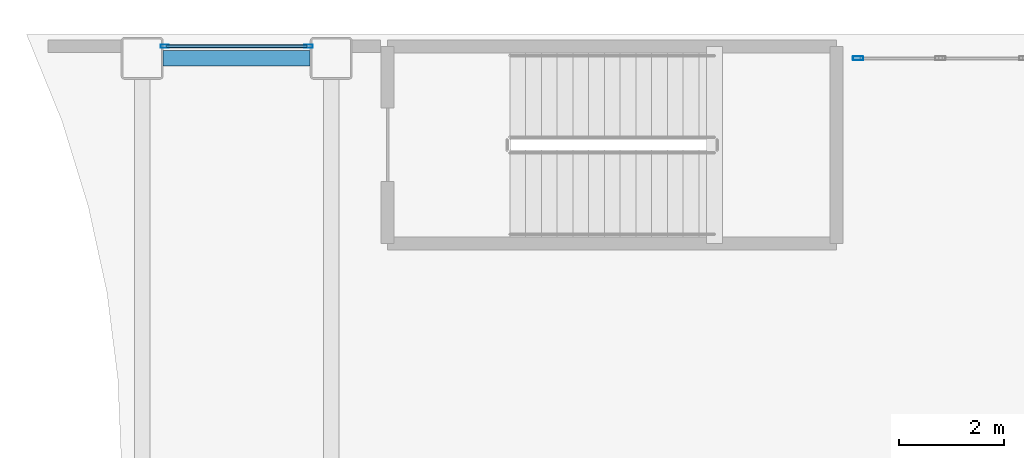
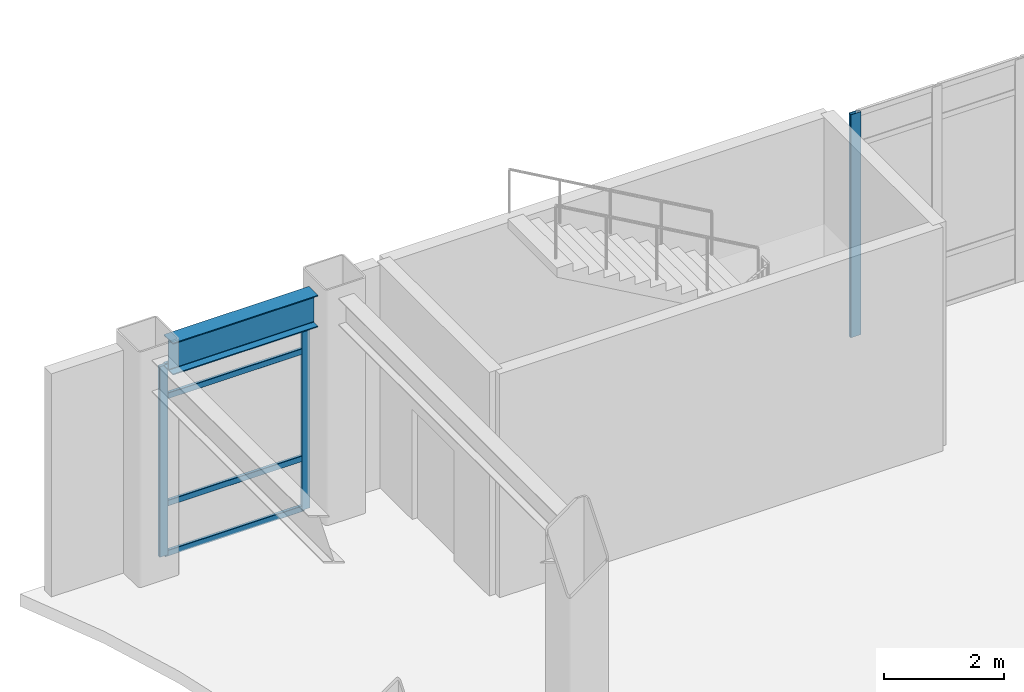
# One storey, part 67 of 154: 7 members, 1 beam, 2 elements without a shape of their own.
"""IFC4 building model written with IfcOpenShell, lengths in metres."""

from ifc_helpers import new_model, si_unit, direction, frame, origin, origin_2d, place, context, subcontext, project, spatial, hollow_rectangle, i_section, extrude, material, layer, layer_set, material_profile, profile_set, type_object, element, aggregate, save


model = new_model("IFC4")

# Units and contexts
model_context = context("Model", 3, precision=1e-05, world=origin(), true_north=direction((0.0, 1.0)))
body_context = subcontext(model_context, "Body", "Model", "MODEL_VIEW")
ifc_project = project(units=[si_unit("LENGTHUNIT", "METRE"), si_unit("AREAUNIT", "SQUARE_METRE"), si_unit("VOLUMEUNIT", "CUBIC_METRE"), si_unit("PLANEANGLEUNIT", "RADIAN"), si_unit("MASSUNIT", "GRAM", prefix="KILO")], contexts=[model_context])

# Site, building, storey
site_placement = place(None, origin())
site = spatial("IfcSite", under=ifc_project, at=site_placement, CompositionType="ELEMENT")
building_placement = place(site_placement, origin())
building = spatial("IfcBuilding", under=site, at=building_placement, Name="Kazehara Bluff Congress Hotel", CompositionType="ELEMENT")
storey_placement = place(building_placement, frame((0.0, 0.0, 10.199951171875)))
storey = spatial("IfcBuildingStorey", under=building, at=storey_placement, Name="L02", CompositionType="ELEMENT", Elevation=10.199951171875)

# Curtain wall, members
ifc_material_1 = material(Name="Anodised aluminium", Category="aluminium")
ifc_layer_1 = layer(ifc_material_1, 0.159912109375)
ifc_layer_set_1 = layer_set([ifc_layer_1], Name="Anodised aluminium")
curtain_wall_type_1 = type_object("IfcCurtainWallType", Name="TP-CW-125", PredefinedType="NOTDEFINED", material=ifc_layer_set_1)
curtain_wall_1_placement = place(storey_placement, origin())
curtain_wall_1 = element("IfcCurtainWall", 1, at=curtain_wall_1_placement, inside=storey, type_object=curtain_wall_type_1, Name="L02 curtain wall CW-125 CW-ENC-V1-L02-660-11378", PredefinedType="NOTDEFINED")
ifc_material_2 = material(Name="Anodised aluminium", Category="aluminium")
ifc_material_profile_1 = material_profile(ifc_material_2, hollow_rectangle(XDim=0.06005859375, YDim=0.159912109375, WallThickness=0.00390625, InnerFilletRadius=0.00390625, OuterFilletRadius=0.008056640625, at=origin_2d()))
ifc_profile_set_1 = profile_set([ifc_material_profile_1], Name="Anodised aluminium")
member_type_1 = type_object("IfcMemberType", Name="TP-CWM-01", PredefinedType="MULLION", material=ifc_profile_set_1)
member_1_placement = place(storey_placement, frame((5.22998046875, 113.780029296875, 0.0), z_axis=(0.0, 0.0, 1.0), x_axis=(0.0, 1.0, 0.0)))
member_1 = element("IfcMember", 2, at=member_1_placement, type_object=member_type_1, Name="CW-125 mullion 1", PredefinedType="MULLION", context=body_context, shape_type="SweptSolid", body=[
    extrude(hollow_rectangle(XDim=0.06005859375, YDim=0.159912109375, WallThickness=0.00390625, InnerFilletRadius=0.00390625, OuterFilletRadius=0.008056640625, at=origin_2d()), origin(), (0.0, 0.0, 1.0), 3.885009765625),
])
member_2_placement = place(storey_placement, frame((7.969970703125, 113.780029296875, 0.0), z_axis=(0.0, 0.0, 1.0), x_axis=(0.0, 1.0, 0.0)))
member_2 = element("IfcMember", 3, at=member_2_placement, type_object=member_type_1, Name="CW-125 mullion 2", PredefinedType="MULLION", context=body_context, shape_type="SweptSolid", body=[
    extrude(hollow_rectangle(XDim=0.06005859375, YDim=0.159912109375, WallThickness=0.00390625, InnerFilletRadius=0.00390625, OuterFilletRadius=0.008056640625, at=origin_2d()), origin(), (0.0, 0.0, 1.0), 3.885009765625),
])

# Curtain wall, member
ifc_material_3 = material(Name="Anodised aluminium", Category="aluminium")
ifc_layer_2 = layer(ifc_material_3, 0.159912109375)
ifc_layer_set_2 = layer_set([ifc_layer_2], Name="Anodised aluminium")
curtain_wall_type_2 = type_object("IfcCurtainWallType", Name="TP-CW-09", PredefinedType="NOTDEFINED", material=ifc_layer_set_2)
curtain_wall_2_placement = place(storey_placement, origin())
curtain_wall_2 = element("IfcCurtainWall", 4, at=curtain_wall_2_placement, inside=storey, type_object=curtain_wall_type_2, Name="L02 curtain wall CW-09 CW-V1-L02-Y11355-1840", PredefinedType="NOTDEFINED")
ifc_material_4 = material(Name="Anodised aluminium", Category="aluminium")
ifc_material_profile_2 = material_profile(ifc_material_4, hollow_rectangle(XDim=0.070068359375, YDim=0.199951171875, WallThickness=0.0048828125, InnerFilletRadius=0.0048828125, OuterFilletRadius=0.010009765625, at=origin_2d()))
ifc_profile_set_2 = profile_set([ifc_material_profile_2], Name="Anodised aluminium")
member_type_2 = type_object("IfcMemberType", Name="TP-CWM-03", PredefinedType="MULLION", material=ifc_profile_set_2)
member_3_placement = place(storey_placement, frame((18.43505859375, 113.550048828125, 0.0), z_axis=(0.0, 0.0, 1.0), x_axis=(0.0, 1.0, 0.0)))
member_3 = element("IfcMember", 5, at=member_3_placement, type_object=member_type_2, Name="CW-09 mullion 1", PredefinedType="MULLION", context=body_context, shape_type="SweptSolid", body=[
    extrude(hollow_rectangle(XDim=0.070068359375, YDim=0.199951171875, WallThickness=0.0048828125, InnerFilletRadius=0.0048828125, OuterFilletRadius=0.010009765625, at=origin_2d()), origin(), (0.0, 0.0, 1.0), 4.545166015625),
])
aggregate(curtain_wall_2, [member_3])

# Member
ifc_material_5 = material(Name="Anodised aluminium", Category="aluminium")
ifc_material_profile_3 = material_profile(ifc_material_5, hollow_rectangle(XDim=0.06005859375, YDim=0.1201171875, WallThickness=0.00390625, InnerFilletRadius=0.00390625, OuterFilletRadius=0.008056640625, at=origin_2d()))
ifc_profile_set_3 = profile_set([ifc_material_profile_3], Name="Anodised aluminium")
member_type_3 = type_object("IfcMemberType", Name="TP-CWT-01", PredefinedType="USERDEFINED", material=ifc_profile_set_3)
member_4_placement = place(storey_placement, frame((5.260009765625, 113.780029296875, 0.030029296875), z_axis=(1.0, 0.0, 0.0), x_axis=(0.0, 1.0, 0.0)))
member_4 = element("IfcMember", 6, at=member_4_placement, type_object=member_type_3, Name="CW-125 transom 1.1", ObjectType="TRANSOM", PredefinedType="USERDEFINED", context=body_context, shape_type="SweptSolid", body=[
    extrude(hollow_rectangle(XDim=0.06005859375, YDim=0.1201171875, WallThickness=0.00390625, InnerFilletRadius=0.00390625, OuterFilletRadius=0.008056640625, at=origin_2d()), origin(), (0.0, 0.0, 1.0), 2.679931640625),
])

member_5_placement = place(storey_placement, frame((5.260009765625, 113.780029296875, 1.050048828125), z_axis=(1.0, 0.0, 0.0), x_axis=(0.0, 1.0, 0.0)))
member_5 = element("IfcMember", 7, at=member_5_placement, type_object=member_type_3, Name="CW-125 transom 1.2", ObjectType="TRANSOM", PredefinedType="USERDEFINED", context=body_context, shape_type="SweptSolid", body=[
    extrude(hollow_rectangle(XDim=0.06005859375, YDim=0.1201171875, WallThickness=0.00390625, InnerFilletRadius=0.00390625, OuterFilletRadius=0.008056640625, at=origin_2d()), origin(), (0.0, 0.0, 1.0), 2.679931640625),
])

member_6_placement = place(storey_placement, frame((5.260009765625, 113.780029296875, 3.235107421875), z_axis=(1.0, 0.0, 0.0), x_axis=(0.0, 1.0, 0.0)))
member_6 = element("IfcMember", 8, at=member_6_placement, type_object=member_type_3, Name="CW-125 transom 1.3", ObjectType="TRANSOM", PredefinedType="USERDEFINED", context=body_context, shape_type="SweptSolid", body=[
    extrude(hollow_rectangle(XDim=0.06005859375, YDim=0.1201171875, WallThickness=0.00390625, InnerFilletRadius=0.00390625, OuterFilletRadius=0.008056640625, at=origin_2d()), origin(), (0.0, 0.0, 1.0), 2.679931640625),
])

member_7_placement = place(storey_placement, frame((5.260009765625, 113.780029296875, 3.85498046875), z_axis=(1.0, 0.0, 0.0), x_axis=(0.0, 1.0, 0.0)))
member_7 = element("IfcMember", 9, at=member_7_placement, type_object=member_type_3, Name="CW-125 transom 1.4", ObjectType="TRANSOM", PredefinedType="USERDEFINED", context=body_context, shape_type="SweptSolid", body=[
    extrude(hollow_rectangle(XDim=0.06005859375, YDim=0.1201171875, WallThickness=0.00390625, InnerFilletRadius=0.00390625, OuterFilletRadius=0.008056640625, at=origin_2d()), origin(), (0.0, 0.0, 1.0), 2.679931640625),
])

aggregate(curtain_wall_1, [member_1, member_2, member_4, member_5, member_6, member_7])

# Beam
ifc_material_6 = material(Name="Steel SN490B", Category="steel")
ifc_material_profile_4 = material_profile(ifc_material_6, i_section(OverallWidth=0.300048828125, OverallDepth=0.64990234375, WebThickness=0.011962890625, FlangeThickness=0.02001953125, FilletRadius=0.012939453125, at=origin_2d()))
ifc_profile_set_4 = profile_set([ifc_material_profile_4], Name="Steel SN490B")
beam_type = type_object("IfcBeamType", Name="TP-G-03", PredefinedType="BEAM", material=ifc_profile_set_4)
beam_placement = place(storey_placement, frame((5.199951171875, 113.550048828125, 4.235107421875), z_axis=(1.0, 0.0, 0.0), x_axis=(0.0, 1.0, 0.0)))
element("IfcBeam", 10, at=beam_placement, inside=storey, type_object=beam_type, Name="L02 girder G-03 38", PredefinedType="BEAM", context=body_context, shape_type="SweptSolid", body=[
    extrude(i_section(OverallWidth=0.300048828125, OverallDepth=0.64990234375, WebThickness=0.011962890625, FlangeThickness=0.02001953125, FilletRadius=0.012939453125, at=origin_2d()), origin(), (0.0, 0.0, 1.0), 2.800048828125),
])

save(model, "model.ifc")
